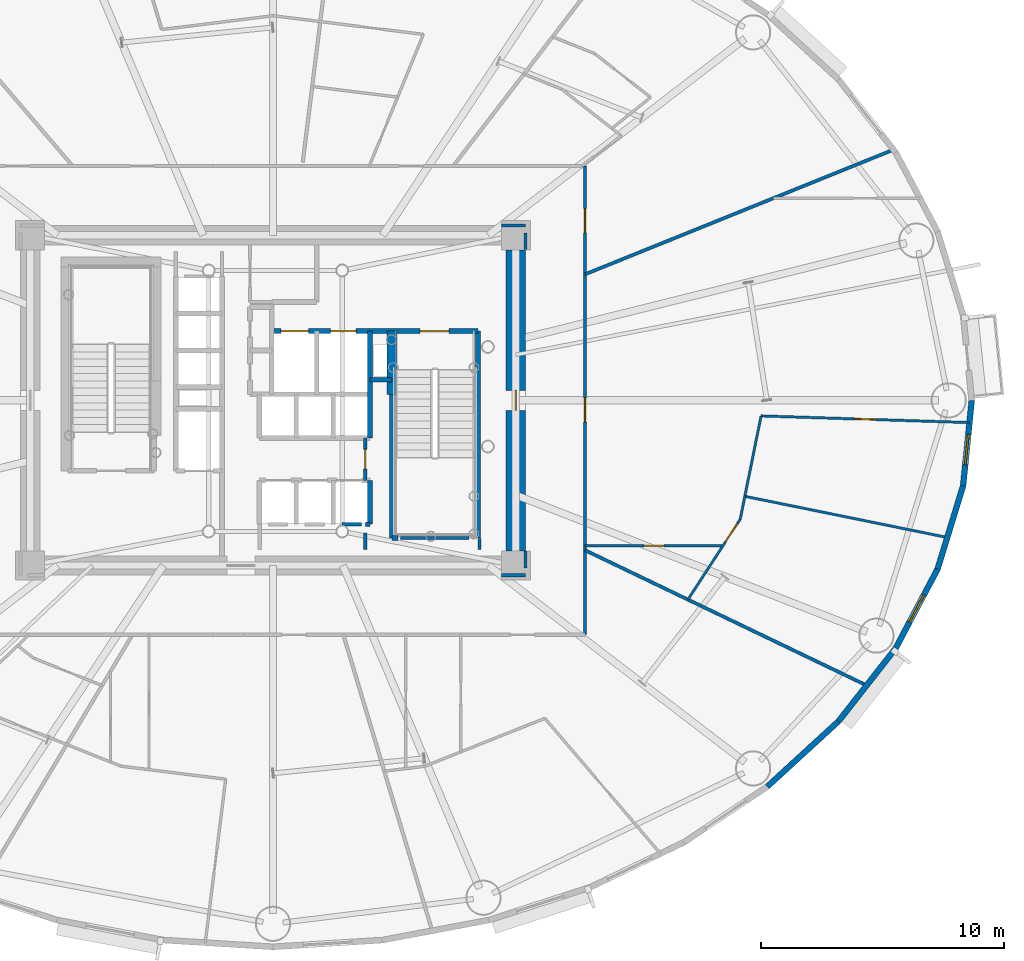
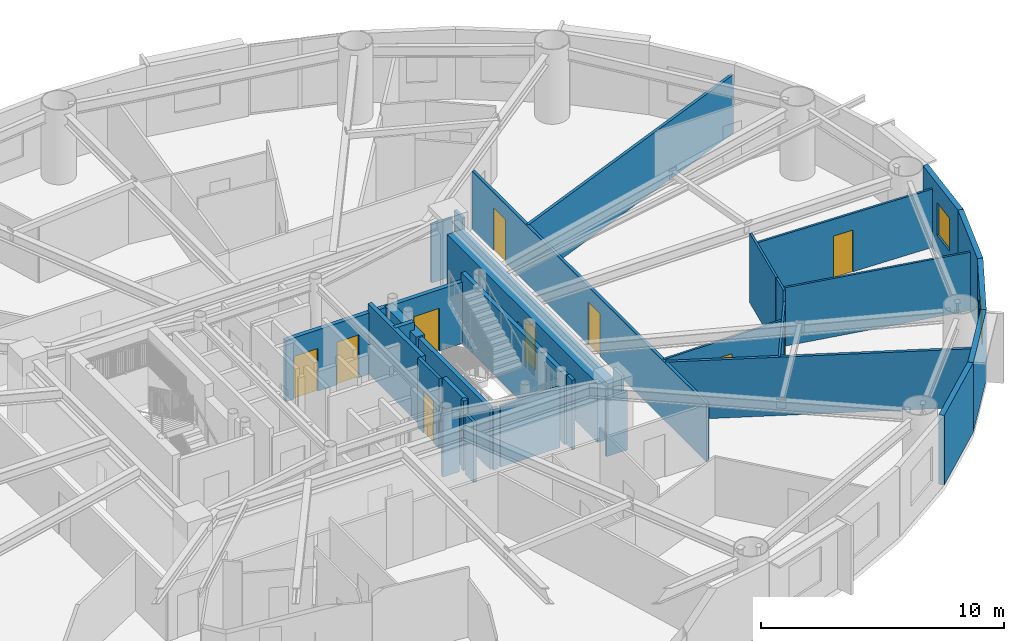
# One storey, part 12 of 21: 33 walls, 10 doors, 2 windows, 12 openings.
"""IFC4 building model written with IfcOpenShell, lengths in metres."""

import ifcopenshell
import ifcopenshell.guid

model = None  # the IFC model being written
_history = None  # IfcOwnerHistory: only IFC2X3 demands one
_inside = {}  # id of a spatial element -> (the spatial element, [elements in it])
_under = {}  # id of a project, library or spatial element -> (it, [spatial elements below it])
_declared = {}  # id of a project -> (the project, [libraries it declares])
_typed = {}  # id of a type object -> (the type object, [elements of that type])
_made_of = {}  # id of a material, layer set ... -> (it, [elements and type objects made of it])


def new_model(schema):
    """Start an empty IFC model of exactly this schema.

    Asked for "IFC4X3", IfcOpenShell would pick the latest addendum, in which some entities
    have other attributes; the version numbers below select the first issue.
    IFC2X3 requires an IfcOwnerHistory on every rooted entity: one is made here for all.
    """
    global model, _history
    if schema == "IFC4X3":
        model = ifcopenshell.file(schema_version=(4, 3, 0, 0))
    else:
        model = ifcopenshell.file(schema=schema)
    _inside.clear()
    _under.clear()
    _declared.clear()
    _typed.clear()
    _made_of.clear()
    _history = None
    if model.schema == "IFC2X3":
        org = make("IfcOrganization", Name="unknown")
        user = make(
            "IfcPersonAndOrganization",
            ThePerson=make("IfcPerson", FamilyName="unknown"),
            TheOrganization=org,
        )
        app = make(
            "IfcApplication",
            ApplicationDeveloper=org,
            Version="unknown",
            ApplicationFullName="unknown",
            ApplicationIdentifier="unknown",
        )
        _history = make(
            "IfcOwnerHistory",
            OwningUser=user,
            OwningApplication=app,
            ChangeAction="ADDED",
            CreationDate=0,
        )
    return model


def make(cls, **values):
    """One entity of the class cls with the attributes given. An attribute that is None is left unset."""
    return model.create_entity(
        cls, **{name: value for name, value in values.items() if value is not None}
    )


def rooted(cls, **values):
    """An entity with a GlobalId (a new one), such as an element, a storey or a relation."""
    return make(cls, GlobalId=ifcopenshell.guid.new(), OwnerHistory=_history, **values)


def si_unit(unit_type, name, prefix=None):
    """IfcSIUnit, for example si_unit("LENGTHUNIT", "METRE", prefix="MILLI")."""
    return make("IfcSIUnit", UnitType=unit_type, Prefix=prefix, Name=name)


def assignment(units):
    """IfcUnitAssignment: the units of a project."""
    return None if units is None else make("IfcUnitAssignment", Units=units)


def point(xyz):
    """IfcCartesianPoint."""
    return None if xyz is None else make("IfcCartesianPoint", Coordinates=xyz)


def direction(xyz):
    """IfcDirection."""
    return None if xyz is None else make("IfcDirection", DirectionRatios=xyz)


def frame(location, z_axis=None, x_axis=None):
    """IfcAxis2Placement3D, a coordinate frame: its origin and axes. An axis left out is left unset."""
    return make(
        "IfcAxis2Placement3D",
        Location=point(location),
        Axis=direction(z_axis),
        RefDirection=direction(x_axis),
    )


def frame_2d(location, x_axis=None):
    """IfcAxis2Placement2D, a coordinate frame in the plane: its origin and x axis."""
    return make(
        "IfcAxis2Placement2D", Location=point(location), RefDirection=direction(x_axis)
    )


def origin():
    """The frame at (0, 0, 0) with its axes left unset."""
    return frame((0.0, 0.0, 0.0))


def origin_2d():
    """The frame at (0, 0) in the plane with its x axis left unset."""
    return frame_2d((0.0, 0.0))


def place(relative_to, where):
    """IfcLocalPlacement: puts the frame where relative to a parent placement (None: the world)."""
    return make(
        "IfcLocalPlacement", PlacementRelTo=relative_to, RelativePlacement=where
    )


def context(
    kind, dimensions, precision=None, world=None, true_north=None, identifier=None
):
    """IfcGeometricRepresentationContext, for example the 3D "Model" context."""
    return make(
        "IfcGeometricRepresentationContext",
        ContextIdentifier=identifier,
        ContextType=kind,
        CoordinateSpaceDimension=dimensions,
        Precision=precision,
        WorldCoordinateSystem=world,
        TrueNorth=true_north,
    )


def subcontext(parent, identifier, kind, view, scale=None):
    """IfcGeometricRepresentationSubContext, for example "Body" below "Model"."""
    return make(
        "IfcGeometricRepresentationSubContext",
        ContextIdentifier=identifier,
        ContextType=kind,
        ParentContext=parent,
        TargetScale=scale,
        TargetView=view,
    )


def project(units=None, contexts=None):
    """IfcProject with its units and contexts."""
    return rooted(
        "IfcProject",
        Name="project",
        RepresentationContexts=contexts,
        UnitsInContext=assignment(units),
    )


def spatial(cls, under=None, at=None, **own):
    """A site, building, storey or space (cls), placed at a placement, below another one or the project."""
    s = rooted(cls, ObjectPlacement=at, **own)
    if under is not None:
        _under.setdefault(under.id(), (under, []))[1].append(s)
    return s


def profile(cls, at=None, kind="AREA", **sizes):
    """A parametric profile (cls). Its sizes go by their IFC names, for example OverallWidth=200.0."""
    return make(cls, ProfileType=kind, Position=at, **sizes)


def rectangle(**sizes):
    """IfcRectangleProfileDef."""
    return profile("IfcRectangleProfileDef", **sizes)


def extrude(swept, where, along, depth):
    """IfcExtrudedAreaSolid: the profile swept, set in the frame where, extruded along a direction by depth."""
    return make(
        "IfcExtrudedAreaSolid",
        SweptArea=swept,
        Position=where,
        ExtrudedDirection=direction(along),
        Depth=depth,
    )


def shape(context_of_items, identifier, shape_type, items):
    """IfcShapeRepresentation: the items that make up one representation, for example the "Body"."""
    return make(
        "IfcShapeRepresentation",
        ContextOfItems=context_of_items,
        RepresentationIdentifier=identifier,
        RepresentationType=shape_type,
        Items=items,
    )


def source(mapping_origin, context_of_items, identifier, shape_type, items):
    """IfcRepresentationMap: a shape defined once, which mapped items show again and again."""
    return make(
        "IfcRepresentationMap",
        MappingOrigin=mapping_origin,
        MappedRepresentation=shape(context_of_items, identifier, shape_type, items),
    )


def transform(
    local_origin,
    x_axis=None,
    y_axis=None,
    z_axis=None,
    scale=None,
    scale2=None,
    scale3=None,
    uniform=True,
):
    """IfcCartesianTransformationOperator3D, or its non-uniform kind. x_axis, y_axis, z_axis: its Axis1, 2, 3."""
    if uniform:
        return make(
            "IfcCartesianTransformationOperator3D",
            Axis1=direction(x_axis),
            Axis2=direction(y_axis),
            LocalOrigin=point(local_origin),
            Scale=scale,
            Axis3=direction(z_axis),
        )
    return make(
        "IfcCartesianTransformationOperator3DnonUniform",
        Axis1=direction(x_axis),
        Axis2=direction(y_axis),
        LocalOrigin=point(local_origin),
        Scale=scale,
        Axis3=direction(z_axis),
        Scale2=scale2,
        Scale3=scale3,
    )


def mapped(mapping_source, mapping_target):
    """IfcMappedItem: shows the shape of a source again, moved by a transform."""
    return make(
        "IfcMappedItem", MappingSource=mapping_source, MappingTarget=mapping_target
    )


def material(Name=None, Category=None):
    """IfcMaterial."""
    return make("IfcMaterial", Name=Name, Category=Category)


def layer(
    of_material, thickness, ventilated=None, Name=None, Category=None, Priority=None
):
    """IfcMaterialLayer: one layer of a wall or slab, of a material (None: an air gap)."""
    return make(
        "IfcMaterialLayer",
        Material=of_material,
        LayerThickness=thickness,
        IsVentilated=ventilated,
        Name=Name,
        Category=Category,
        Priority=Priority,
    )


def layer_set(layers, Name=None):
    """IfcMaterialLayerSet."""
    return make("IfcMaterialLayerSet", MaterialLayers=layers, LayerSetName=Name)


def made_of(thing, what):
    """Note that an element or type object is made of a material, layer set ...; save() writes the relation."""
    if what is not None:
        _made_of.setdefault(what.id(), (what, []))[1].append(thing)
    return thing


def type_object(cls, material=None, **own):
    """A type object (cls), such as IfcWallType, which elements share."""
    return made_of(rooted(cls, **own), material)


def element(
    cls,
    number,
    at=None,
    inside=None,
    cuts=None,
    type_object=None,
    material=None,
    context=None,
    identifier="Body",
    shape_type=None,
    held_by="IfcProductDefinitionShape",
    body=None,
    shapes=None,
    **own,
):
    """One element of the class cls, such as IfcWall. Its Tag is "e" and its number.

    at: its placement. inside: the storey or other place that contains it. cuts: it is an
    opening in that element (IfcRelVoidsElement). A single representation is given by context,
    identifier, shape_type and body (its items); several are given by shapes. held_by: the class
    of the entity that holds the representations. save() writes the other relations.
    """
    e = rooted(cls, Tag="e%d" % number, ObjectPlacement=at, **own)
    if body is not None:
        shapes = [shape(context, identifier, shape_type, body)]
    if shapes is not None:
        e.Representation = make(held_by, Representations=shapes)
    if inside is not None:
        _inside.setdefault(inside.id(), (inside, []))[1].append(e)
    if cuts is not None:
        rooted(
            "IfcRelVoidsElement", RelatingBuildingElement=cuts, RelatedOpeningElement=e
        )
    if type_object is not None:
        _typed.setdefault(type_object.id(), (type_object, []))[1].append(e)
    return made_of(e, material)


def fill(opening, filler):
    """IfcRelFillsElement: the door or window that sits in an opening."""
    return rooted(
        "IfcRelFillsElement",
        RelatingOpeningElement=opening,
        RelatedBuildingElement=filler,
    )


def aggregate(whole, parts):
    """IfcRelAggregates: a whole, such as a stair, and the parts it consists of."""
    return rooted("IfcRelAggregates", RelatingObject=whole, RelatedObjects=parts)


def save(model, path):
    """Write the relations noted so far, then the file.

    IfcRelAggregates (storeys below a building ...), IfcRelContainedInSpatialStructure (elements
    in a storey), IfcRelDefinesByType, IfcRelAssociatesMaterial and IfcRelDeclares: one each for
    every whole, place, type object, material and project.
    """
    for whole, parts in _under.values():
        aggregate(whole, parts)
    for where, things in _inside.values():
        rooted(
            "IfcRelContainedInSpatialStructure",
            RelatedElements=things,
            RelatingStructure=where,
        )
    for kind, things in _typed.values():
        rooted("IfcRelDefinesByType", RelatedObjects=things, RelatingType=kind)
    for what, things in _made_of.values():
        rooted("IfcRelAssociatesMaterial", RelatedObjects=things, RelatingMaterial=what)
    for by, libraries in _declared.values():
        rooted("IfcRelDeclares", RelatingContext=by, RelatedDefinitions=libraries)
    model.write(path)


model = new_model("IFC4")

# Units and contexts
model_context = context("Model", 3, precision=1e-05, world=origin(), true_north=direction((0.0, 1.0)))
body_context = subcontext(model_context, "Body", "Model", "MODEL_VIEW")
ifc_project = project(units=[si_unit("LENGTHUNIT", "METRE"), si_unit("AREAUNIT", "SQUARE_METRE"), si_unit("VOLUMEUNIT", "CUBIC_METRE"), si_unit("PLANEANGLEUNIT", "RADIAN"), si_unit("MASSUNIT", "GRAM", prefix="KILO")], contexts=[model_context])

# Site, building, storey
site_placement = place(None, origin())
site = spatial("IfcSite", under=ifc_project, at=site_placement, CompositionType="ELEMENT")
building_placement = place(site_placement, origin())
building = spatial("IfcBuilding", under=site, at=building_placement, Name="Linh Dai School and Residence Tower", CompositionType="ELEMENT")
storey_placement = place(building_placement, frame((0.0, 0.0, 97.199951171875)))
storey = spatial("IfcBuildingStorey", under=building, at=storey_placement, Name="L22", CompositionType="ELEMENT", Elevation=97.199951171875)

# Walls
ifc_material_1 = material(Name="Precast Concrete B45 (C35/45)", Category="concrete")
ifc_layer_1 = layer(ifc_material_1, 0.239990234375)
ifc_layer_set_1 = layer_set([ifc_layer_1], Name="Precast Concrete B45 (C35/45)")
wall_type_1 = type_object("IfcWallType", Name="EW-TC-240", PredefinedType="SOLIDWALL", material=ifc_layer_set_1)
wall_1_placement = place(storey_placement, frame((59.2890625, 13.783447265625, 0.0), z_axis=(0.0, 0.0, 1.0), x_axis=(-0.737113356241, -0.675769117414, 0.0)))
element("IfcWall", 1, at=wall_1_placement, inside=storey, type_object=wall_type_1, Name="L22 Terracotta Exterior Wall 36", PredefinedType="SOLIDWALL", context=body_context, shape_type="SweptSolid", body=[
    extrude(rectangle(XDim=3.975830078125, YDim=0.239990234375, at=frame_2d((1.98779296875, 0.0))), origin(), (0.0, 0.0, 1.0), 3.5),
])
wall_2_placement = place(storey_placement, frame((61.645263671875, 16.79443359375, 0.0), z_axis=(0.0, 0.0, 1.0), x_axis=(-0.616272103517, -0.787533297345, 0.0)))
element("IfcWall", 2, at=wall_2_placement, inside=storey, type_object=wall_type_1, Name="L22 Terracotta Exterior Wall 37", PredefinedType="SOLIDWALL", context=body_context, shape_type="SweptSolid", body=[
    extrude(rectangle(XDim=3.8232421875, YDim=0.239990234375, at=frame_2d((1.91162109375, 0.0))), origin(), (0.0, 0.0, 1.0), 3.5),
])

# Wall, opening, window
wall_3_placement = place(storey_placement, frame((63.3701171875, 20.054931640625, 0.0), z_axis=(0.0, 0.0, 1.0), x_axis=(-0.467614004126, -0.883932770716, 0.0)))
wall_3 = element("IfcWall", 3, at=wall_3_placement, inside=storey, type_object=wall_type_1, Name="L22 Terracotta Exterior Wall 38", PredefinedType="SOLIDWALL", context=body_context, shape_type="SweptSolid", body=[
    extrude(rectangle(XDim=3.688720703125, YDim=0.239990234375, at=frame_2d((1.84423828125, 0.0))), origin(), (0.0, 0.0, 1.0), 3.5),
])
opening_1_placement = place(wall_3_placement, frame((1.21923828125, 0.0, 0.89990234375)))
opening_1 = element("IfcOpeningElement", 4, at=opening_1_placement, cuts=wall_3, Name="Opening W3", PredefinedType="OPENING", context=body_context, shape_type="SweptSolid", body=[
    extrude(rectangle(XDim=1.25, YDim=1.64990234375, at=origin_2d()), frame((0.625, 0.1298828125, 0.824951171875), z_axis=(0.0, -1.0, 0.0), x_axis=(1.0, 0.0, 0.0)), (0.0, 0.0, 1.0), 0.260009765625),
])
ifc_material_2 = material(Name="Double Low-E Insulated Glazing", Category="glass")
window_type = type_object("IfcWindowType", Name="WN-RES-1250x1650", PartitioningType="SINGLE_PANEL", PredefinedType="WINDOW", material=ifc_material_2)
shared_shape_1 = source(origin(), body_context, "Body", "SweptSolid", [
    extrude(rectangle(XDim=1.25, YDim=1.64990234375, at=origin_2d()), frame((0.625, 0.030029296875, 0.824951171875), z_axis=(0.0, -1.0, 0.0), x_axis=(1.0, 0.0, 0.0)), (0.0, 0.0, 1.0), 0.06005859375),
])
window_1_placement = place(opening_1_placement, origin())
window_1 = element("IfcWindow", 5, at=window_1_placement, inside=storey, type_object=window_type, Name="L22 Dwelling Window U2209-BD1", OverallHeight=1.64990234375, OverallWidth=1.25, PartitioningType="SINGLE_PANEL", PredefinedType="WINDOW", context=body_context, shape_type="MappedRepresentation", body=[
    mapped(shared_shape_1, transform((0.0, 0.0, 0.0), x_axis=(1.0, 0.0, 0.0), y_axis=(0.0, 1.0, 0.0), z_axis=(0.0, 0.0, 1.0), scale=1.0)),
])
fill(opening_1, window_1)

# Wall
wall_4_placement = place(storey_placement, frame((64.421630859375, 23.484619140625, 0.0), z_axis=(0.0, 0.0, 1.0), x_axis=(-0.293124431344, -0.956074300329, 0.0)))
element("IfcWall", 6, at=wall_4_placement, inside=storey, type_object=wall_type_1, Name="L22 Terracotta Exterior Wall 39", PredefinedType="SOLIDWALL", context=body_context, shape_type="SweptSolid", body=[
    extrude(rectangle(XDim=3.587158203125, YDim=0.239990234375, at=frame_2d((1.79345703125, 0.0))), origin(), (0.0, 0.0, 1.0), 3.5),
])

# Wall, opening, window
wall_5_placement = place(storey_placement, frame((64.77490234375, 27.0, 0.0), z_axis=(0.0, 0.0, 1.0), x_axis=(-0.099989468229, -0.994988495533, 0.0)))
wall_5 = element("IfcWall", 7, at=wall_5_placement, inside=storey, type_object=wall_type_1, Name="L22 Terracotta Exterior Wall 40", PredefinedType="SOLIDWALL", context=body_context, shape_type="SweptSolid", body=[
    extrude(rectangle(XDim=3.533203125, YDim=0.239990234375, at=frame_2d((1.7666015625, 0.0))), origin(), (0.0, 0.0, 1.0), 3.5),
])
opening_2_placement = place(wall_5_placement, frame((1.408447265625, 0.0, 0.89990234375)))
opening_2 = element("IfcOpeningElement", 8, at=opening_2_placement, cuts=wall_5, Name="Opening W3", PredefinedType="OPENING", context=body_context, shape_type="SweptSolid", body=[
    extrude(rectangle(XDim=1.25, YDim=1.64990234375, at=origin_2d()), frame((0.625, 0.1298828125, 0.824951171875), z_axis=(0.0, -1.0, 0.0), x_axis=(1.0, 0.0, 0.0)), (0.0, 0.0, 1.0), 0.260009765625),
])
window_2_placement = place(opening_2_placement, origin())
window_2 = element("IfcWindow", 9, at=window_2_placement, inside=storey, type_object=window_type, Name="L22 Exterior Window 40.1", OverallHeight=1.64990234375, OverallWidth=1.25, PartitioningType="SINGLE_PANEL", PredefinedType="WINDOW", context=body_context, shape_type="MappedRepresentation", body=[
    mapped(shared_shape_1, transform((0.0, 0.0, 0.0), x_axis=(1.0, 0.0, 0.0), y_axis=(0.0, 1.0, 0.0), z_axis=(0.0, 0.0, 1.0), scale=1.0)),
])
fill(opening_2, window_2)

# Wall, opening, door
ifc_material_3 = material(Name="Autoclaved Aerated Concrete Blockwork", Category="masonry")
ifc_layer_2 = layer(ifc_material_3, 0.135009765625)
ifc_layer_set_2 = layer_set([ifc_layer_2], Name="Autoclaved Aerated Concrete Blockwork")
wall_type_2 = type_object("IfcWallType", Name="IW-CORR-135-EI90", PredefinedType="PARTITIONING", material=ifc_layer_set_2)
wall_6_placement = place(storey_placement, frame((39.800048828125, 23.699951171875, 0.0), z_axis=(0.0, 0.0, 1.0), x_axis=(0.0, 1.0, 0.0)))
wall_6 = element("IfcWall", 10, at=wall_6_placement, inside=storey, type_object=wall_type_2, Name="L22 Interior Partition Wall 067", PredefinedType="PARTITIONING", context=body_context, shape_type="SweptSolid", body=[
    extrude(rectangle(XDim=1.75, YDim=0.135009765625, at=frame_2d((0.875, 0.0))), origin(), (0.0, 0.0, 1.0), 3.5),
])
opening_3_placement = place(wall_6_placement, frame((0.465087890625, 0.0, 0.0)))
opening_3 = element("IfcOpeningElement", 11, at=opening_3_placement, cuts=wall_6, Name="Opening D06", PredefinedType="OPENING", context=body_context, shape_type="SweptSolid", body=[
    extrude(rectangle(XDim=0.820068359375, YDim=2.10009765625, at=origin_2d()), frame((0.41015625, 0.07763671875, 1.050048828125), z_axis=(0.0, -1.0, 0.0), x_axis=(1.0, 0.0, 0.0)), (0.0, 0.0, 1.0), 0.155029296875),
])
ifc_material_4 = material(Name="Moisture-Resistant Timber Bathroom Door", Category="wood")
door_type_1 = type_object("IfcDoorType", Name="DR-WET-820x2100", OperationType="NOTDEFINED", PredefinedType="DOOR", material=ifc_material_4)
shared_shape_2 = source(origin(), body_context, "Body", "SweptSolid", [
    extrude(rectangle(XDim=0.820068359375, YDim=2.10009765625, at=origin_2d()), frame((0.41015625, 0.02490234375, 1.050048828125), z_axis=(0.0, -1.0, 0.0), x_axis=(1.0, 0.0, 0.0)), (0.0, 0.0, 1.0), 0.050048828125),
])
door_1_placement = place(opening_3_placement, origin())
door_1 = element("IfcDoor", 12, at=door_1_placement, inside=storey, type_object=door_type_1, Name="L22 East Linen Store Door", OperationType="SINGLE_SWING_RIGHT", OverallHeight=2.10009765625, OverallWidth=0.820068359375, PredefinedType="DOOR", context=body_context, shape_type="MappedRepresentation", body=[
    mapped(shared_shape_2, transform((0.0, 0.0, 0.0), x_axis=(1.0, 0.0, 0.0), y_axis=(0.0, 1.0, 0.0), z_axis=(0.0, 0.0, 1.0), scale=1.0)),
])
fill(opening_3, door_1)

# Wall, openings, doors
wall_7_placement = place(storey_placement, frame((48.85009765625, 17.35009765625, 0.0), z_axis=(0.0, 0.0, 1.0), x_axis=(0.0, 1.0, 0.0)))
wall_7 = element("IfcWall", 13, at=wall_7_placement, inside=storey, type_object=wall_type_2, Name="L22 Interior Partition Wall 085", PredefinedType="PARTITIONING", context=body_context, shape_type="SweptSolid", body=[
    extrude(rectangle(XDim=19.2998046875, YDim=0.135009765625, at=frame_2d((9.64990234375, 0.0))), origin(), (0.0, 0.0, 1.0), 2.93505859375),
])
opening_4_placement = place(wall_7_placement, frame((16.55078125, 0.0, 0.0)))
opening_4 = element("IfcOpeningElement", 14, at=opening_4_placement, cuts=wall_7, Name="Opening D03", PredefinedType="OPENING", context=body_context, shape_type="SweptSolid", body=[
    extrude(rectangle(XDim=1.0, YDim=2.14990234375, at=origin_2d()), frame((0.5, 0.07763671875, 1.074951171875), z_axis=(0.0, -1.0, 0.0), x_axis=(1.0, 0.0, 0.0)), (0.0, 0.0, 1.0), 0.155029296875),
])
opening_5_placement = place(wall_7_placement, frame((8.752685546875, 0.0, 0.0)))
opening_5 = element("IfcOpeningElement", 15, at=opening_5_placement, cuts=wall_7, Name="Opening D03", PredefinedType="OPENING", context=body_context, shape_type="SweptSolid", body=[
    extrude(rectangle(XDim=1.0, YDim=2.14990234375, at=origin_2d()), frame((0.5, 0.07763671875, 1.074951171875), z_axis=(0.0, -1.0, 0.0), x_axis=(1.0, 0.0, 0.0)), (0.0, 0.0, 1.0), 0.155029296875),
])
ifc_material_5 = material(Name="Fire-Rated Solid Timber Entrance Door", Category="wood")
door_type_2 = type_object("IfcDoorType", Name="DR-FLAT-1000x2150-FD60S", OperationType="NOTDEFINED", PredefinedType="DOOR", material=ifc_material_5)
shared_shape_3 = source(origin(), body_context, "Body", "SweptSolid", [
    extrude(rectangle(XDim=1.0, YDim=2.14990234375, at=origin_2d()), frame((0.5, 0.02490234375, 1.074951171875), z_axis=(0.0, -1.0, 0.0), x_axis=(1.0, 0.0, 0.0)), (0.0, 0.0, 1.0), 0.050048828125),
])
door_2_placement = place(opening_4_placement, origin())
door_2 = element("IfcDoor", 16, at=door_2_placement, inside=storey, type_object=door_type_2, Name="L22 U2201 Apartment Entrance Door", OperationType="SINGLE_SWING_LEFT", OverallHeight=2.14990234375, OverallWidth=1.0, PredefinedType="DOOR", context=body_context, shape_type="MappedRepresentation", body=[
    mapped(shared_shape_3, transform((0.0, 0.0, 0.0), x_axis=(1.0, 0.0, 0.0), y_axis=(0.0, 1.0, 0.0), z_axis=(0.0, 0.0, 1.0), scale=1.0)),
])
fill(opening_4, door_2)
door_3_placement = place(opening_5_placement, origin())
door_3 = element("IfcDoor", 17, at=door_3_placement, inside=storey, type_object=door_type_2, Name="L22 U2209 Apartment Entrance Door", OperationType="SINGLE_SWING_RIGHT", OverallHeight=2.14990234375, OverallWidth=1.0, PredefinedType="DOOR", context=body_context, shape_type="MappedRepresentation", body=[
    mapped(shared_shape_3, transform((0.0, 0.0, 0.0), x_axis=(1.0, 0.0, 0.0), y_axis=(0.0, 1.0, 0.0), z_axis=(0.0, 0.0, 1.0), scale=1.0)),
])
fill(opening_5, door_3)

# Walls
wall_8_placement = place(storey_placement, frame((48.85009765625, 20.830322265625, 0.0), z_axis=(0.0, 0.0, 1.0), x_axis=(0.901472427533, -0.432836530803, 0.0)))
element("IfcWall", 18, at=wall_8_placement, inside=storey, type_object=wall_type_2, Name="L22 Interior Partition Wall 086", PredefinedType="PARTITIONING", context=body_context, shape_type="SweptSolid", body=[
    extrude(rectangle(XDim=12.86865234375, YDim=0.135009765625, at=frame_2d((6.434326171875, 0.0))), origin(), (0.0, 0.0, 1.0), 2.93505859375),
])
wall_9_placement = place(storey_placement, frame((48.85009765625, 32.191650390625, 0.0), z_axis=(0.0, 0.0, 1.0), x_axis=(0.927181163505, 0.374613253958, 0.0)))
element("IfcWall", 19, at=wall_9_placement, inside=storey, type_object=wall_type_2, Name="L22 Interior Partition Wall 088", PredefinedType="PARTITIONING", context=body_context, shape_type="SweptSolid", body=[
    extrude(rectangle(XDim=13.70556640625, YDim=0.135009765625, at=frame_2d((6.852783203125, 0.0))), origin(), (0.0, 0.0, 1.0), 2.93505859375),
])
wall_10_placement = place(storey_placement, frame((44.080078125, 21.330078125, 0.0), z_axis=(0.0, 0.0, 1.0), x_axis=(-1.0, 0.0, 0.0)))
element("IfcWall", 20, at=wall_10_placement, inside=storey, type_object=wall_type_2, Name="L22 Interior Partition Wall 097", PredefinedType="PARTITIONING", context=body_context, shape_type="SweptSolid", body=[
    extrude(rectangle(XDim=2.820068359375, YDim=0.135009765625, at=frame_2d((1.41015625, 0.0))), origin(), (0.0, 0.0, 1.0), 3.03515625),
])
wall_11_placement = place(storey_placement, frame((39.639892578125, 21.89990234375, 0.0), z_axis=(0.0, 0.0, 1.0), x_axis=(-1.0, 0.0, 0.0)))
element("IfcWall", 21, at=wall_11_placement, inside=storey, type_object=wall_type_2, Name="L22 Interior Partition Wall 100", PredefinedType="PARTITIONING", context=body_context, shape_type="SweptSolid", body=[
    extrude(rectangle(XDim=0.7998046875, YDim=0.135009765625, at=frame_2d((0.39990234375, 0.0))), origin(), (0.0, 0.0, 1.0), 3.0849609375),
])
wall_12_placement = place(storey_placement, frame((39.800048828125, 20.860107421875, 0.0), z_axis=(0.0, 0.0, 1.0), x_axis=(0.0, 1.0, 0.0)))
element("IfcWall", 22, at=wall_12_placement, inside=storey, type_object=wall_type_2, Name="L22 Interior Partition Wall 102", PredefinedType="PARTITIONING", context=body_context, shape_type="SweptSolid", body=[
    extrude(rectangle(XDim=0.679931640625, YDim=0.135009765625, at=frame_2d((0.33984375, 0.0))), origin(), (0.0, 0.0, 1.0), 3.03515625),
])
wall_13_placement = place(storey_placement, frame((44.5, 20.860107421875, 0.0), z_axis=(0.0, 0.0, 1.0), x_axis=(0.0, 1.0, 0.0)))
element("IfcWall", 23, at=wall_13_placement, inside=storey, type_object=wall_type_2, Name="L22 Interior Partition Wall 104", PredefinedType="PARTITIONING", context=body_context, shape_type="SweptSolid", body=[
    extrude(rectangle(XDim=0.4599609375, YDim=0.135009765625, at=frame_2d((0.22998046875, 0.0))), origin(), (0.0, 0.0, 1.0), 3.5),
])
for number, where, z_axis, x_axis, name in (
    (24, (46.39990234375, 34.199951171875, 0.0), (0.0, 0.0, 1.0), (-1.0, 0.0, 0.0), "L22 Interior Partition Wall 109"),
    (25, (45.409912109375, 19.800048828125, 0.0), (0.0, 0.0, 1.0), (1.0, 0.0, 0.0), "L22 Interior Partition Wall 114"),
):
    element("IfcWall", number, at=place(storey_placement, frame(where, z_axis=z_axis, x_axis=x_axis)), inside=storey, type_object=wall_type_2, Name=name, PredefinedType="PARTITIONING", context=body_context, shape_type="SweptSolid", body=[
        extrude(rectangle(XDim=0.989990234375, YDim=0.135009765625, at=frame_2d((0.4951171875, 0.0))), origin(), (0.0, 0.0, 1.0), 2.93505859375),
    ])
for number, where, z_axis, x_axis, name in (
    (26, (46.39990234375, 20.107421875, 0.0), (0.0, 0.0, 1.0), (0.0, 1.0, 0.0), "L22 Interior Partition Wall 115"),
    (27, (46.39990234375, 33.2099609375, 0.0), (0.0, 0.0, 1.0), (0.0, 1.0, 0.0), "L22 Interior Partition Wall 116"),
):
    element("IfcWall", number, at=place(storey_placement, frame(where, z_axis=z_axis, x_axis=x_axis)), inside=storey, type_object=wall_type_2, Name=name, PredefinedType="PARTITIONING", context=body_context, shape_type="SweptSolid", body=[
        extrude(rectangle(XDim=0.6826171875, YDim=0.135009765625, at=frame_2d((0.34130859375, 0.0))), origin(), (0.0, 0.0, 1.0), 3.5),
    ])

# Wall, openings, doors
ifc_material_6 = material(Name="Concrete B45 (C35/45)", Category="concrete")
ifc_layer_3 = layer(ifc_material_6, 0.199951171875)
ifc_layer_set_3 = layer_set([ifc_layer_3], Name="Concrete B45 (C35/45)")
wall_type_3 = type_object("IfcWallType", Name="IW-SHAFT-200-EI120", PredefinedType="PARTITIONING", material=ifc_layer_set_3)
wall_14_placement = place(storey_placement, frame((35.949951171875, 29.85009765625, 0.0), z_axis=(0.0, 0.0, 1.0), x_axis=(1.0, 0.0, 0.0)))
wall_14 = element("IfcWall", 28, at=wall_14_placement, inside=storey, type_object=wall_type_3, Name="L22 Interior Partition Wall 053", PredefinedType="PARTITIONING", context=body_context, shape_type="SweptSolid", body=[
    extrude(rectangle(XDim=8.489990234375, YDim=0.199951171875, at=frame_2d((4.2451171875, 0.0))), origin(), (0.0, 0.0, 1.0), 3.0849609375),
])
opening_6_placement = place(wall_14_placement, frame((6.10009765625, 0.0, 0.0)))
opening_6 = element("IfcOpeningElement", 29, at=opening_6_placement, cuts=wall_14, Name="Opening D01", PredefinedType="OPENING", context=body_context, shape_type="SweptSolid", body=[
    extrude(rectangle(XDim=1.199951171875, YDim=2.14990234375, at=origin_2d()), frame((0.60009765625, 0.10986328125, 1.074951171875), z_axis=(0.0, -1.0, 0.0), x_axis=(1.0, 0.0, 0.0)), (0.0, 0.0, 1.0), 0.219970703125),
])
opening_7_placement = place(wall_14_placement, frame((0.3701171875, 0.0, 0.0)))
opening_7 = element("IfcOpeningElement", 30, at=opening_7_placement, cuts=wall_14, Name="Opening LD-FF1", PredefinedType="OPENING", context=body_context, shape_type="SweptSolid", body=[
    extrude(rectangle(XDim=1.14990234375, YDim=2.14990234375, at=origin_2d()), frame((0.574951171875, 0.10986328125, 1.074951171875), z_axis=(0.0, -1.0, 0.0), x_axis=(1.0, 0.0, 0.0)), (0.0, 0.0, 1.0), 0.219970703125),
])
opening_8_placement = place(wall_14_placement, frame((2.425048828125, 0.0, 0.0)))
opening_8 = element("IfcOpeningElement", 31, at=opening_8_placement, cuts=wall_14, Name="Opening LD-SV1", PredefinedType="OPENING", context=body_context, shape_type="SweptSolid", body=[
    extrude(rectangle(XDim=1.050048828125, YDim=2.14990234375, at=origin_2d()), frame((0.52490234375, 0.10986328125, 1.074951171875), z_axis=(0.0, -1.0, 0.0), x_axis=(1.0, 0.0, 0.0)), (0.0, 0.0, 1.0), 0.219970703125),
])
ifc_material_7 = material(Name="Fire-Rated Steel Door Leaf", Category="steel")
door_type_3 = type_object("IfcDoorType", Name="DR-STAIR-1200x2150-FD90S", OperationType="NOTDEFINED", PredefinedType="DOOR", material=ifc_material_7)
shared_shape_4 = source(origin(), body_context, "Body", "SweptSolid", [
    extrude(rectangle(XDim=1.199951171875, YDim=2.14990234375, at=origin_2d()), frame((0.60009765625, 0.02490234375, 1.074951171875), z_axis=(0.0, -1.0, 0.0), x_axis=(1.0, 0.0, 0.0)), (0.0, 0.0, 1.0), 0.050048828125),
])
door_4_placement = place(opening_6_placement, origin())
door_4 = element("IfcDoor", 32, at=door_4_placement, inside=storey, type_object=door_type_3, Name="L22 Core Smokeproof Exit Stair ST2 Door", OperationType="SINGLE_SWING_RIGHT", OverallHeight=2.14990234375, OverallWidth=1.199951171875, PredefinedType="DOOR", context=body_context, shape_type="MappedRepresentation", body=[
    mapped(shared_shape_4, transform((0.0, 0.0, 0.0), x_axis=(1.0, 0.0, 0.0), y_axis=(0.0, 1.0, 0.0), z_axis=(0.0, 0.0, 1.0), scale=1.0)),
])
fill(opening_6, door_4)
ifc_material_8 = material(Name="Fire-Rated Stainless Steel Firefighting Lift Door", Category="steel")
door_type_4 = type_object("IfcDoorType", Name="DR-LD-FF-1150x2150-FD120", OperationType="DOUBLE_DOOR_SLIDING", PredefinedType="USERDEFINED", material=ifc_material_8)
shared_shape_5 = source(origin(), body_context, "Body", "SweptSolid", [
    extrude(rectangle(XDim=1.14990234375, YDim=2.14990234375, at=origin_2d()), frame((0.574951171875, 0.02490234375, 1.074951171875), z_axis=(0.0, -1.0, 0.0), x_axis=(1.0, 0.0, 0.0)), (0.0, 0.0, 1.0), 0.050048828125),
])
door_5_placement = place(opening_7_placement, origin())
door_5 = element("IfcDoor", 33, at=door_5_placement, inside=storey, type_object=door_type_4, Name="L22 Lift FF1 Sliding Landing Door", ObjectType="LANDING DOOR", OperationType="DOUBLE_DOOR_SLIDING", OverallHeight=2.14990234375, OverallWidth=1.14990234375, PredefinedType="USERDEFINED", context=body_context, shape_type="MappedRepresentation", body=[
    mapped(shared_shape_5, transform((0.0, 0.0, 0.0), x_axis=(1.0, 0.0, 0.0), y_axis=(0.0, 1.0, 0.0), z_axis=(0.0, 0.0, 1.0), scale=1.0)),
])
fill(opening_7, door_5)
ifc_material_9 = material(Name="Brushed Stainless Steel Lift Landing Door", Category="steel")
door_type_5 = type_object("IfcDoorType", Name="DR-LD-PASS-1050x2150", OperationType="DOUBLE_DOOR_SLIDING", PredefinedType="USERDEFINED", material=ifc_material_9)
shared_shape_6 = source(origin(), body_context, "Body", "SweptSolid", [
    extrude(rectangle(XDim=1.050048828125, YDim=2.14990234375, at=origin_2d()), frame((0.52490234375, 0.02490234375, 1.074951171875), z_axis=(0.0, -1.0, 0.0), x_axis=(1.0, 0.0, 0.0)), (0.0, 0.0, 1.0), 0.050048828125),
])
door_6_placement = place(opening_8_placement, origin())
door_6 = element("IfcDoor", 34, at=door_6_placement, inside=storey, type_object=door_type_5, Name="L22 Lift SV1 Sliding Landing Door", ObjectType="LANDING DOOR", OperationType="DOUBLE_DOOR_SLIDING", OverallHeight=2.14990234375, OverallWidth=1.050048828125, PredefinedType="USERDEFINED", context=body_context, shape_type="MappedRepresentation", body=[
    mapped(shared_shape_6, transform((0.0, 0.0, 0.0), x_axis=(1.0, 0.0, 0.0), y_axis=(0.0, 1.0, 0.0), z_axis=(0.0, 0.0, 1.0), scale=1.0)),
])
fill(opening_8, door_6)

# Walls
wall_15_placement = place(storey_placement, frame((39.800048828125, 21.89990234375, 0.0), z_axis=(0.0, 0.0, 1.0), x_axis=(1.0, 0.0, 0.0)))
element("IfcWall", 35, at=wall_15_placement, inside=storey, type_object=wall_type_3, Name="L22 Interior Partition Wall 066", PredefinedType="PARTITIONING", context=body_context, shape_type="SweptSolid", body=[
    extrude(rectangle(XDim=0.199951171875, YDim=0.199951171875, at=frame_2d((0.10009765625, 0.0))), origin(), (0.0, 0.0, 1.0), 3.5),
])
wall_16_placement = place(storey_placement, frame((40.0, 21.89990234375, 0.0), z_axis=(0.0, 0.0, 1.0), x_axis=(0.0, 1.0, 0.0)))
element("IfcWall", 36, at=wall_16_placement, inside=storey, type_object=wall_type_3, Name="L22 Interior Partition Wall 069", PredefinedType="PARTITIONING", context=body_context, shape_type="SweptSolid", body=[
    extrude(rectangle(XDim=1.800048828125, YDim=0.199951171875, at=frame_2d((0.89990234375, 0.0))), origin(), (0.0, 0.0, 1.0), 3.5),
])
wall_17_placement = place(storey_placement, frame((40.0, 25.449951171875, 0.0), z_axis=(0.0, 0.0, 1.0), x_axis=(0.0, 1.0, 0.0)))
element("IfcWall", 37, at=wall_17_placement, inside=storey, type_object=wall_type_3, Name="L22 Interior Partition Wall 070", PredefinedType="PARTITIONING", context=body_context, shape_type="SweptSolid", body=[
    extrude(rectangle(XDim=4.400146484375, YDim=0.199951171875, at=frame_2d((2.2001953125, 0.0))), origin(), (0.0, 0.0, 1.0), 3.5),
])
wall_18_placement = place(storey_placement, frame((40.0, 27.85009765625, 0.0), z_axis=(0.0, 0.0, 1.0), x_axis=(1.0, 0.0, 0.0)))
element("IfcWall", 38, at=wall_18_placement, inside=storey, type_object=wall_type_3, Name="L22 Interior Partition Wall 071", PredefinedType="PARTITIONING", context=body_context, shape_type="SweptSolid", body=[
    extrude(rectangle(XDim=0.89990234375, YDim=0.199951171875, at=frame_2d((0.449951171875, 0.0))), origin(), (0.0, 0.0, 1.0), 3.5),
])
wall_19_placement = place(storey_placement, frame((40.89990234375, 21.330078125, 0.0), z_axis=(0.0, 0.0, 1.0), x_axis=(0.0, 1.0, 0.0)))
element("IfcWall", 39, at=wall_19_placement, inside=storey, type_object=wall_type_3, Name="L22 Interior Partition Wall 073", PredefinedType="PARTITIONING", context=body_context, shape_type="SweptSolid", body=[
    extrude(rectangle(XDim=5.909912109375, YDim=0.199951171875, at=frame_2d((2.955078125, 0.0))), origin(), (0.0, 0.0, 1.0), 3.03515625),
])
wall_20_placement = place(storey_placement, frame((40.89990234375, 21.330078125, 0.0), z_axis=(0.0, 0.0, 1.0), x_axis=(1.0, 0.0, 0.0)))
element("IfcWall", 40, at=wall_20_placement, inside=storey, type_object=wall_type_3, Name="L22 Interior Partition Wall 074", PredefinedType="PARTITIONING", context=body_context, shape_type="SweptSolid", body=[
    extrude(rectangle(XDim=0.25, YDim=0.199951171875, at=frame_2d((0.125, 0.0))), origin(), (0.0, 0.0, 1.0), 3.03515625),
])
wall_21_placement = place(storey_placement, frame((44.43994140625, 21.330078125, 0.0), z_axis=(0.0, 0.0, 1.0), x_axis=(0.0, 1.0, 0.0)))
element("IfcWall", 41, at=wall_21_placement, inside=storey, type_object=wall_type_3, Name="L22 Interior Partition Wall 079", PredefinedType="PARTITIONING", context=body_context, shape_type="SweptSolid", body=[
    extrude(rectangle(XDim=8.52001953125, YDim=0.199951171875, at=frame_2d((4.260009765625, 0.0))), origin(), (0.0, 0.0, 1.0), 3.5),
])

# Wall, opening, door
ifc_material_10 = material(Name="Gypsum Plasterboard Acoustic Stud Partition", Category="masonry")
ifc_layer_4 = layer(ifc_material_10, 0.10009765625)
ifc_layer_set_4 = layer_set([ifc_layer_4], Name="Gypsum Plasterboard Acoustic Stud Partition")
wall_type_4 = type_object("IfcWallType", Name="IW-UNIT-100", PredefinedType="PARTITIONING", material=ifc_layer_set_4)
wall_22_placement = place(storey_placement, frame((48.85009765625, 21.013671875, 0.0), z_axis=(0.0, 0.0, 1.0), x_axis=(1.0, 0.0, 0.0)))
wall_22 = element("IfcWall", 42, at=wall_22_placement, inside=storey, type_object=wall_type_4, Name="L22 Interior Partition Wall 087", PredefinedType="PARTITIONING", context=body_context, shape_type="SweptSolid", body=[
    extrude(rectangle(XDim=5.6796875, YDim=0.10009765625, at=frame_2d((2.83984375, 0.0))), origin(), (0.0, 0.0, 1.0), 2.93505859375),
])
opening_9_placement = place(wall_22_placement, frame((2.429931640625, 0.0, 0.0)))
opening_9 = element("IfcOpeningElement", 43, at=opening_9_placement, cuts=wall_22, Name="Opening D06", PredefinedType="OPENING", context=body_context, shape_type="SweptSolid", body=[
    extrude(rectangle(XDim=0.820068359375, YDim=2.10009765625, at=origin_2d()), frame((0.41015625, 0.06005859375, 1.050048828125), z_axis=(0.0, -1.0, 0.0), x_axis=(1.0, 0.0, 0.0)), (0.0, 0.0, 1.0), 0.1201171875),
])
door_7_placement = place(opening_9_placement, origin())
door_7 = element("IfcDoor", 44, at=door_7_placement, inside=storey, type_object=door_type_1, Name="L22 Apartment U2209 Bathroom 1 Door", OperationType="SINGLE_SWING_LEFT", OverallHeight=2.10009765625, OverallWidth=0.820068359375, PredefinedType="DOOR", context=body_context, shape_type="MappedRepresentation", body=[
    mapped(shared_shape_2, transform((0.0, 0.0, 0.0), x_axis=(1.0, 0.0, 0.0), y_axis=(0.0, 1.0, 0.0), z_axis=(0.0, 0.0, 1.0), scale=1.0)),
])
fill(opening_9, door_7)

wall_23_placement = place(storey_placement, frame((53.0869140625, 18.796142578125, 0.0), z_axis=(0.0, 0.0, 1.0), x_axis=(0.545403476424, 0.838173638278, 0.0)))
wall_23 = element("IfcWall", 45, at=wall_23_placement, inside=storey, type_object=wall_type_4, Name="L22 Interior Partition Wall 091", PredefinedType="PARTITIONING", context=body_context, shape_type="SweptSolid", body=[
    extrude(rectangle(XDim=3.94775390625, YDim=0.10009765625, at=frame_2d((1.973876953125, 0.0))), origin(), (0.0, 0.0, 1.0), 2.93505859375),
])
opening_10_placement = place(wall_23_placement, frame((2.82666015625, 0.0, 0.0)))
opening_10 = element("IfcOpeningElement", 46, at=opening_10_placement, cuts=wall_23, Name="Opening D05", PredefinedType="OPENING", context=body_context, shape_type="SweptSolid", body=[
    extrude(rectangle(XDim=0.89990234375, YDim=2.10009765625, at=origin_2d()), frame((0.449951171875, 0.06005859375, 1.050048828125), z_axis=(0.0, -1.0, 0.0), x_axis=(1.0, 0.0, 0.0)), (0.0, 0.0, 1.0), 0.1201171875),
])
ifc_material_11 = material(Name="Engineered Timber Internal Door", Category="wood")
door_type_6 = type_object("IfcDoorType", Name="DR-INT-900x2100", OperationType="NOTDEFINED", PredefinedType="DOOR", material=ifc_material_11)
shared_shape_7 = source(origin(), body_context, "Body", "SweptSolid", [
    extrude(rectangle(XDim=0.89990234375, YDim=2.10009765625, at=origin_2d()), frame((0.449951171875, 0.02490234375, 1.050048828125), z_axis=(0.0, -1.0, 0.0), x_axis=(1.0, 0.0, 0.0)), (0.0, 0.0, 1.0), 0.050048828125),
])
door_8_placement = place(opening_10_placement, origin())
door_8 = element("IfcDoor", 47, at=door_8_placement, inside=storey, type_object=door_type_6, Name="L22 Apartment U2209 Principal Bedroom 1 Door", OperationType="SINGLE_SWING_LEFT", OverallHeight=2.10009765625, OverallWidth=0.89990234375, PredefinedType="DOOR", context=body_context, shape_type="MappedRepresentation", body=[
    mapped(shared_shape_7, transform((0.0, 0.0, 0.0), x_axis=(1.0, 0.0, 0.0), y_axis=(0.0, 1.0, 0.0), z_axis=(0.0, 0.0, 1.0), scale=1.0)),
])
fill(opening_10, door_8)

# Walls
wall_24_placement = place(storey_placement, frame((55.239990234375, 22.10498046875, 0.0), z_axis=(0.0, 0.0, 1.0), x_axis=(0.198113230311, 0.980179140757, 0.0)))
element("IfcWall", 48, at=wall_24_placement, inside=storey, type_object=wall_type_4, Name="L22 Interior Partition Wall 092", PredefinedType="PARTITIONING", context=body_context, shape_type="SweptSolid", body=[
    extrude(rectangle(XDim=0.963623046875, YDim=0.10009765625, at=frame_2d((0.48193359375, 0.0))), origin(), (0.0, 0.0, 1.0), 3.5),
])
wall_25_placement = place(storey_placement, frame((55.432861328125, 23.059326171875, 0.0), z_axis=(0.0, 0.0, 1.0), x_axis=(0.198276597798, 0.980146106846, 0.0)))
element("IfcWall", 49, at=wall_25_placement, inside=storey, type_object=wall_type_4, Name="L22 Interior Partition Wall 093", PredefinedType="PARTITIONING", context=body_context, shape_type="SweptSolid", body=[
    extrude(rectangle(XDim=3.36767578125, YDim=0.10009765625, at=frame_2d((1.683837890625, 0.0))), origin(), (0.0, 0.0, 1.0), 3.5),
])
wall_26_placement = place(storey_placement, frame((55.430908203125, 23.049560546875, 0.0), z_axis=(0.0, 0.0, 1.0), x_axis=(0.979953651871, -0.199225601228, 0.0)))
element("IfcWall", 50, at=wall_26_placement, inside=storey, type_object=wall_type_4, Name="L22 Interior Partition Wall 094", PredefinedType="PARTITIONING", context=body_context, shape_type="SweptSolid", body=[
    extrude(rectangle(XDim=8.51318359375, YDim=0.10009765625, at=frame_2d((4.256591796875, 0.0))), origin(), (0.0, 0.0, 1.0), 2.93505859375),
])

# Wall, opening, door
wall_27_placement = place(storey_placement, frame((56.1005859375, 26.360107421875, 0.0), z_axis=(0.0, 0.0, 1.0), x_axis=(0.999493466978, -0.031824667605, 0.0)))
wall_27 = element("IfcWall", 51, at=wall_27_placement, inside=storey, type_object=wall_type_4, Name="L22 Interior Partition Wall 095", PredefinedType="PARTITIONING", context=body_context, shape_type="SweptSolid", body=[
    extrude(rectangle(XDim=8.592041015625, YDim=0.10009765625, at=frame_2d((4.2958984375, 0.0))), origin(), (0.0, 0.0, 1.0), 2.93505859375),
])
opening_11_placement = place(wall_27_placement, frame((3.845947265625, 0.0, 0.0)))
opening_11 = element("IfcOpeningElement", 52, at=opening_11_placement, cuts=wall_27, Name="Opening D05", PredefinedType="OPENING", context=body_context, shape_type="SweptSolid", body=[
    extrude(rectangle(XDim=0.89990234375, YDim=2.10009765625, at=origin_2d()), frame((0.449951171875, 0.06005859375, 1.050048828125), z_axis=(0.0, -1.0, 0.0), x_axis=(1.0, 0.0, 0.0)), (0.0, 0.0, 1.0), 0.1201171875),
])
door_9_placement = place(opening_11_placement, origin())
door_9 = element("IfcDoor", 53, at=door_9_placement, inside=storey, type_object=door_type_6, Name="L22 Apartment U2209 Study Door", OperationType="SINGLE_SWING_RIGHT", OverallHeight=2.10009765625, OverallWidth=0.89990234375, PredefinedType="DOOR", context=body_context, shape_type="MappedRepresentation", body=[
    mapped(shared_shape_7, transform((0.0, 0.0, 0.0), x_axis=(1.0, 0.0, 0.0), y_axis=(0.0, 1.0, 0.0), z_axis=(0.0, 0.0, 1.0), scale=1.0)),
])
fill(opening_11, door_9)

# Wall
ifc_layer_5 = layer(ifc_material_6, 0.39990234375)
ifc_layer_set_5 = layer_set([ifc_layer_5], Name="Concrete B45 (C35/45)")
wall_type_5 = type_object("IfcWallType", Name="WL-CORE400", PredefinedType="SHEAR", material=ifc_layer_set_5)
wall_28_placement = place(storey_placement, frame((40.89990234375, 27.25, 0.0), z_axis=(0.0, 0.0, 1.0), x_axis=(0.0, 1.0, 0.0)))
element("IfcWall", 54, at=wall_28_placement, inside=storey, type_object=wall_type_5, Name="L22 Internal Core Shear Wall IE", PredefinedType="SHEAR", context=body_context, shape_type="SweptSolid", body=[
    extrude(rectangle(XDim=2.60009765625, YDim=0.39990234375, at=frame_2d((1.300048828125, 0.0))), origin(), (0.0, 0.0, 1.0), 3.10009765625),
])

# Wall, opening, door
ifc_material_12 = material(Name="Concrete B60 (C50/60)", Category="concrete")
ifc_layer_6 = layer(ifc_material_12, 0.800048828125)
ifc_layer_set_6 = layer_set([ifc_layer_6], Name="Concrete B60 (C50/60)")
wall_type_6 = type_object("IfcWallType", Name="WL-CORE800", PredefinedType="SHEAR", material=ifc_layer_set_6)
wall_29_placement = place(storey_placement, frame((46.0, 33.199951171875, 0.0), z_axis=(0.0, 0.0, 1.0), x_axis=(0.0, -1.0, 0.0)))
wall_29 = element("IfcWall", 55, at=wall_29_placement, inside=storey, type_object=wall_type_6, Name="L22 Central Core Shear Wall E", PredefinedType="SHEAR", context=body_context, shape_type="SweptSolid", body=[
    extrude(rectangle(XDim=12.39990234375, YDim=0.800048828125, at=frame_2d((6.199951171875, 0.0))), origin(), (0.0, 0.0, 1.0), 2.949951171875),
])
opening_12_placement = place(wall_29_placement, frame((5.7900390625, 0.0, 0.0)))
opening_12 = element("IfcOpeningElement", 56, at=opening_12_placement, cuts=wall_29, Name="Opening D06", PredefinedType="OPENING", context=body_context, shape_type="SweptSolid", body=[
    extrude(rectangle(XDim=0.820068359375, YDim=2.10009765625, at=origin_2d()), frame((0.41015625, 0.41015625, 1.050048828125), z_axis=(0.0, -1.0, 0.0), x_axis=(1.0, 0.0, 0.0)), (0.0, 0.0, 1.0), 0.820068359375),
])
door_10_placement = place(opening_12_placement, origin())
door_10 = element("IfcDoor", 57, at=door_10_placement, inside=storey, type_object=door_type_1, Name="L22 Firefighting Lobby Door", OperationType="SINGLE_SWING_LEFT", OverallHeight=2.10009765625, OverallWidth=0.820068359375, PredefinedType="DOOR", context=body_context, shape_type="MappedRepresentation", body=[
    mapped(shared_shape_2, transform((0.0, 0.0, 0.0), x_axis=(1.0, 0.0, 0.0), y_axis=(0.0, 1.0, 0.0), z_axis=(0.0, 0.0, 1.0), scale=1.0)),
])
fill(opening_12, door_10)

save(model, "model.ifc")
